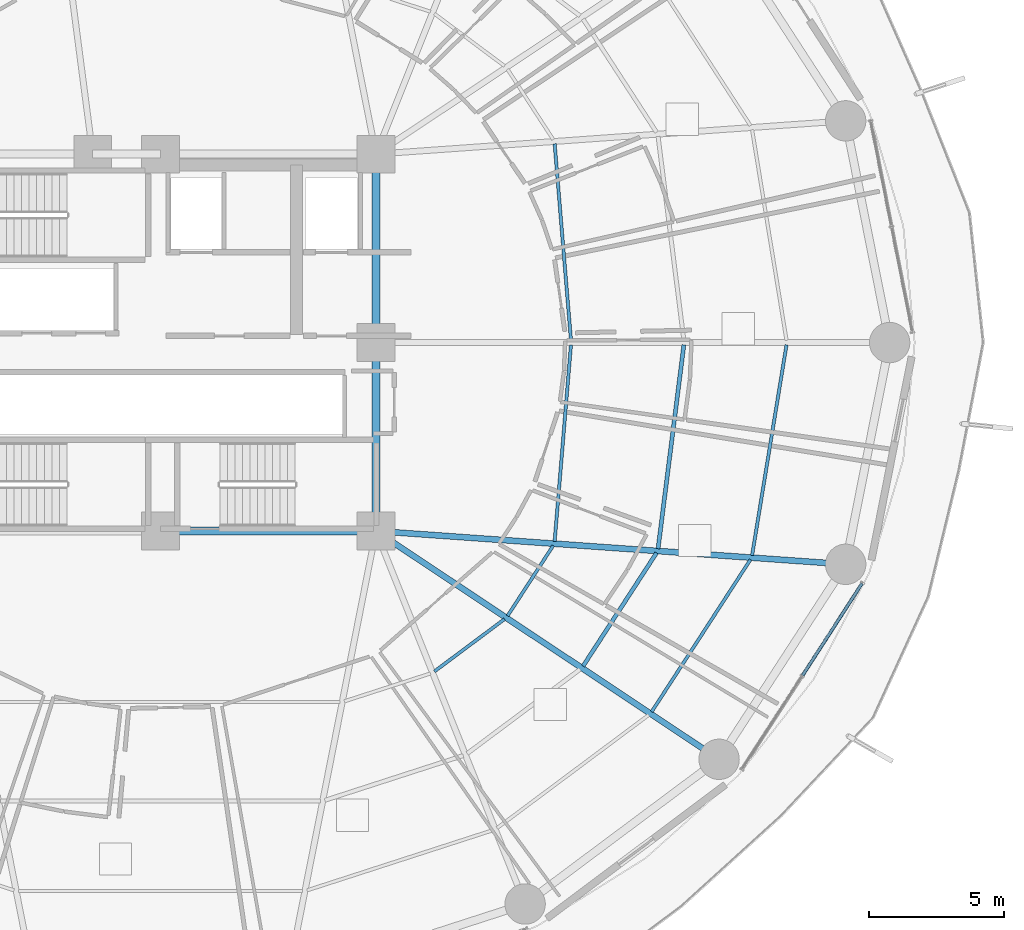
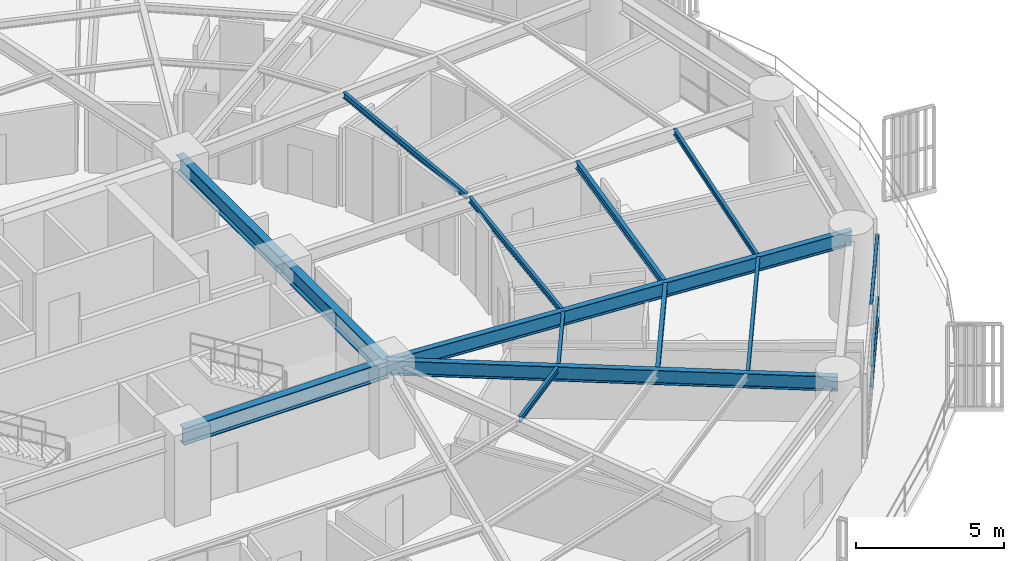
# One storey, part 11 of 33: 13 beams, 3 members, 1 element without a shape of its own.
"""IFC4 building model written with IfcOpenShell, lengths in metres."""

from ifc_helpers import new_model, si_unit, direction, frame, origin, origin_2d, place, context, subcontext, project, spatial, hollow_rectangle, i_section, extrude, material, layer, layer_set, material_profile, profile_set, type_object, element, aggregate, save


model = new_model("IFC4")

# Units and contexts
model_context = context("Model", 3, precision=1e-05, world=origin(), true_north=direction((0.0, 1.0)))
body_context = subcontext(model_context, "Body", "Model", "MODEL_VIEW")
ifc_project = project(units=[si_unit("LENGTHUNIT", "METRE"), si_unit("AREAUNIT", "SQUARE_METRE"), si_unit("VOLUMEUNIT", "CUBIC_METRE"), si_unit("PLANEANGLEUNIT", "RADIAN"), si_unit("MASSUNIT", "GRAM", prefix="KILO")], contexts=[model_context])

# Site, building, storey
site_placement = place(None, origin())
site = spatial("IfcSite", under=ifc_project, at=site_placement, CompositionType="ELEMENT")
building_placement = place(site_placement, origin())
building = spatial("IfcBuilding", under=site, at=building_placement, Name="Kelanora Arch Commons", CompositionType="ELEMENT")
storey_placement = place(building_placement, frame((0.0, 0.0, 41.25)))
storey = spatial("IfcBuildingStorey", under=building, at=storey_placement, Name="L10", CompositionType="ELEMENT", Elevation=41.25)

# Beams
ifc_material_1 = material(Name="Steel S355", Category="steel")
ifc_material_profile_1 = material_profile(ifc_material_1, i_section(OverallWidth=0.300048828125, OverallDepth=0.699951171875, WebThickness=0.01708984375, FlangeThickness=0.031982421875, FilletRadius=0.027099609375, at=origin_2d()), Name="HEB700")
ifc_profile_set_1 = profile_set([ifc_material_profile_1], Name="Steel S355")
beam_type_1 = type_object("IfcBeamType", Name="BM-CORE-HDR", PredefinedType="BEAM", material=ifc_profile_set_1)
beam_1_placement = place(storey_placement, frame((74.0, 51.0, 3.139892578125), z_axis=(1.0, 0.0, 0.0), x_axis=(0.0, 1.0, 0.0)))
element("IfcBeam", 1, at=beam_1_placement, inside=storey, type_object=beam_type_1, Name="Core Header Beam 02 L10", PredefinedType="BEAM", context=body_context, shape_type="SweptSolid", body=[
    extrude(i_section(OverallWidth=0.300048828125, OverallDepth=0.699951171875, WebThickness=0.01708984375, FlangeThickness=0.031982421875, FilletRadius=0.027099609375, at=origin_2d()), origin(), (0.0, 0.0, 1.0), 8.0),
])
for number, where, z_axis, x_axis, name in (
    (2, (82.0, 51.0, 3.139892578125), (0.0, 1.0, 0.0), (-1.0, 0.0, 0.0), "Core Header Beam 03 L10"),
    (3, (82.0, 58.0, 3.139892578125), (0.0, 1.0, 0.0), (-1.0, 0.0, 0.0), "Core Header Beam 04 L10"),
):
    element("IfcBeam", number, at=place(storey_placement, frame(where, z_axis=z_axis, x_axis=x_axis)), inside=storey, type_object=beam_type_1, Name=name, PredefinedType="BEAM", context=body_context, shape_type="SweptSolid", body=[
        extrude(i_section(OverallWidth=0.300048828125, OverallDepth=0.699951171875, WebThickness=0.01708984375, FlangeThickness=0.031982421875, FilletRadius=0.027099609375, at=origin_2d()), origin(), (0.0, 0.0, 1.0), 7.0),
    ])
ifc_material_profile_2 = material_profile(ifc_material_1, i_section(OverallWidth=0.14990234375, OverallDepth=0.300048828125, WebThickness=0.007080078125, FlangeThickness=0.0107421875, FilletRadius=0.014892578125, at=origin_2d()), Name="IPE300")
ifc_profile_set_2 = profile_set([ifc_material_profile_2], Name="Steel S355")
beam_type_2 = type_object("IfcBeamType", Name="BM-JST-01", PredefinedType="JOIST", material=ifc_profile_set_2)
beam_2_placement = place(storey_placement, frame((89.693115234375, 45.984375, 3.340087890625), z_axis=(0.544551588245, 0.838727350061, 0.0), x_axis=(-0.838727350061, 0.544551588245, 0.0)))
element("IfcBeam", 4, at=beam_2_placement, inside=storey, type_object=beam_type_2, Name="Secondary Chord Joist BJB-32 L10", PredefinedType="JOIST", context=body_context, shape_type="SweptSolid", body=[
    extrude(i_section(OverallWidth=0.14990234375, OverallDepth=0.300048828125, WebThickness=0.007080078125, FlangeThickness=0.0107421875, FilletRadius=0.014892578125, at=origin_2d()), origin(), (0.0, 0.0, 1.0), 5.010986328125),
])
beam_3_placement = place(storey_placement, frame((92.478759765625, 50.3427734375, 3.340087890625), z_axis=(0.125565841651, 0.992085288375, 0.0), x_axis=(-0.992085288375, 0.125565841651, 0.0)))
element("IfcBeam", 5, at=beam_3_placement, inside=storey, type_object=beam_type_2, Name="Secondary Chord Joist BJB-34 L10", PredefinedType="JOIST", context=body_context, shape_type="SweptSolid", body=[
    extrude(i_section(OverallWidth=0.14990234375, OverallDepth=0.300048828125, WebThickness=0.007080078125, FlangeThickness=0.0107421875, FilletRadius=0.014892578125, at=origin_2d()), origin(), (0.0, 0.0, 1.0), 7.63330078125),
])
ifc_material_profile_3 = material_profile(ifc_material_1, i_section(OverallWidth=0.1201171875, OverallDepth=0.239990234375, WebThickness=0.006103515625, FlangeThickness=0.009765625, FilletRadius=0.014892578125, at=origin_2d()), Name="IPE240")
ifc_profile_set_3 = profile_set([ifc_material_profile_3], Name="Steel S355")
beam_type_3 = type_object("IfcBeamType", Name="BM-JST-02", PredefinedType="JOIST", material=ifc_profile_set_3)
beam_4_placement = place(storey_placement, frame((89.243408203125, 58.084716796875, 3.3701171875), z_axis=(-0.082786209886, 0.996567330115, 0.0), x_axis=(-0.996567330115, -0.082786209886, 0.0)))
element("IfcBeam", 6, at=beam_4_placement, inside=storey, type_object=beam_type_3, Name="Secondary Chord Joist BJA-00 L10", PredefinedType="JOIST", context=body_context, shape_type="SweptSolid", body=[
    extrude(i_section(OverallWidth=0.1201171875, OverallDepth=0.239990234375, WebThickness=0.006103515625, FlangeThickness=0.009765625, FilletRadius=0.014892578125, at=origin_2d()), origin(), (0.0, 0.0, 1.0), 7.325439453125),
])
beam_5_placement = place(storey_placement, frame((84.17333984375, 45.786376953125, 3.3701171875), z_axis=(0.801513822608, 0.59797624716, 0.0), x_axis=(-0.59797624716, 0.801513822608, 0.0)))
element("IfcBeam", 7, at=beam_5_placement, inside=storey, type_object=beam_type_3, Name="Secondary Chord Joist BJA-30 L10", PredefinedType="JOIST", context=body_context, shape_type="SweptSolid", body=[
    extrude(i_section(OverallWidth=0.1201171875, OverallDepth=0.239990234375, WebThickness=0.006103515625, FlangeThickness=0.009765625, FilletRadius=0.014892578125, at=origin_2d()), origin(), (0.0, 0.0, 1.0), 3.245849609375),
])
beam_6_placement = place(storey_placement, frame((86.88916015625, 47.849609375, 3.3701171875), z_axis=(0.544591105858, 0.838701691557, 0.0), x_axis=(-0.838701691557, 0.544591105858, 0.0)))
element("IfcBeam", 8, at=beam_6_placement, inside=storey, type_object=beam_type_3, Name="Secondary Chord Joist BJA-32 L10", PredefinedType="JOIST", context=body_context, shape_type="SweptSolid", body=[
    extrude(i_section(OverallWidth=0.1201171875, OverallDepth=0.239990234375, WebThickness=0.006103515625, FlangeThickness=0.009765625, FilletRadius=0.014892578125, at=origin_2d()), origin(), (0.0, 0.0, 1.0), 3.111328125),
])
beam_7_placement = place(storey_placement, frame((92.241943359375, 44.288818359375, 3.3701171875), z_axis=(0.544550165372, 0.838728273873, 0.0), x_axis=(-0.838728273873, 0.544550165372, 0.0)))
element("IfcBeam", 9, at=beam_7_placement, inside=storey, type_object=beam_type_3, Name="Secondary Chord Joist BJC-32 L10", PredefinedType="JOIST", context=body_context, shape_type="SweptSolid", body=[
    extrude(i_section(OverallWidth=0.1201171875, OverallDepth=0.239990234375, WebThickness=0.006103515625, FlangeThickness=0.009765625, FilletRadius=0.014892578125, at=origin_2d()), origin(), (0.0, 0.0, 1.0), 6.738037109375),
])
beam_8_placement = place(storey_placement, frame((88.636962890625, 50.614990234375, 3.3701171875), z_axis=(0.082786209886, 0.996567330115, 0.0), x_axis=(-0.996567330115, 0.082786209886, 0.0)))
element("IfcBeam", 10, at=beam_8_placement, inside=storey, type_object=beam_type_3, Name="Secondary Chord Joist BJA-34 L10", PredefinedType="JOIST", context=body_context, shape_type="SweptSolid", body=[
    extrude(i_section(OverallWidth=0.1201171875, OverallDepth=0.239990234375, WebThickness=0.006103515625, FlangeThickness=0.009765625, FilletRadius=0.014892578125, at=origin_2d()), origin(), (0.0, 0.0, 1.0), 7.325439453125),
])
beam_9_placement = place(storey_placement, frame((95.97119140625, 50.09521484375, 3.3701171875), z_axis=(0.161400737199, 0.986888951216, 0.0), x_axis=(-0.986888951216, 0.161400737199, 0.0)))
element("IfcBeam", 11, at=beam_9_placement, inside=storey, type_object=beam_type_3, Name="Secondary Chord Joist BJC-34 L10", PredefinedType="JOIST", context=body_context, shape_type="SweptSolid", body=[
    extrude(i_section(OverallWidth=0.1201171875, OverallDepth=0.239990234375, WebThickness=0.006103515625, FlangeThickness=0.009765625, FilletRadius=0.014892578125, at=origin_2d()), origin(), (0.0, 0.0, 1.0), 7.9248046875),
])
ifc_material_profile_4 = material_profile(ifc_material_1, i_section(OverallWidth=0.219970703125, OverallDepth=0.60009765625, WebThickness=0.011962890625, FlangeThickness=0.01904296875, FilletRadius=0.02392578125, at=origin_2d()), Name="IPE600")
ifc_profile_set_4 = profile_set([ifc_material_profile_4], Name="Steel S355")
beam_type_4 = type_object("IfcBeamType", Name="BM-RAD-Z1", PredefinedType="BEAM", material=ifc_profile_set_4)
beam_10_placement = place(storey_placement, frame((82.0, 51.0, 3.18994140625), z_axis=(0.832592187754, -0.553886494591, 0.0), x_axis=(0.553886494591, 0.832592187754, 0.0)))
element("IfcBeam", 12, at=beam_10_placement, inside=storey, type_object=beam_type_4, Name="Radial Floor Girder BR-32 L10", PredefinedType="BEAM", context=body_context, shape_type="SweptSolid", body=[
    extrude(i_section(OverallWidth=0.219970703125, OverallDepth=0.60009765625, WebThickness=0.011962890625, FlangeThickness=0.01904296875, FilletRadius=0.02392578125, at=origin_2d()), origin(), (0.0, 0.0, 1.0), 15.306884765625),
])
beam_11_placement = place(storey_placement, frame((82.0, 51.0, 3.18994140625), z_axis=(0.997500683472, -0.070656821848, 0.0), x_axis=(0.070656821848, 0.997500683472, 0.0)))
element("IfcBeam", 13, at=beam_11_placement, inside=storey, type_object=beam_type_4, Name="Radial Floor Girder BR-34 L10", PredefinedType="BEAM", context=body_context, shape_type="SweptSolid", body=[
    extrude(i_section(OverallWidth=0.219970703125, OverallDepth=0.60009765625, WebThickness=0.011962890625, FlangeThickness=0.01904296875, FilletRadius=0.02392578125, at=origin_2d()), origin(), (0.0, 0.0, 1.0), 17.49072265625),
])

# Curtain wall, members
ifc_material_2 = material(Name="Terracotta ceramic-fritted low-E glass and aluminium", Category="masonry")
ifc_layer = layer(ifc_material_2, 0.159912109375)
ifc_layer_set = layer_set([ifc_layer], Name="Terracotta ceramic-fritted low-E glass and aluminium")
curtain_wall_type = type_object("IfcCurtainWallType", Name="CW-SYS-01", PredefinedType="NOTDEFINED", material=ifc_layer_set)
curtain_wall_placement = place(storey_placement, origin())
curtain_wall = element("IfcCurtainWall", 14, at=curtain_wall_placement, inside=storey, type_object=curtain_wall_type, Name="Unitised Curtain Wall L10-B16", PredefinedType="NOTDEFINED")
ifc_material_3 = material(Name="Powder-coated aluminium terracotta", Category="masonry")
ifc_material_profile_5 = material_profile(ifc_material_3, hollow_rectangle(XDim=0.1201171875, YDim=0.06005859375, WallThickness=0.0048828125, InnerFilletRadius=0.0048828125, OuterFilletRadius=0.010009765625, at=origin_2d()), Name="CWT120x60")
ifc_profile_set_5 = profile_set([ifc_material_profile_5], Name="Powder-coated aluminium terracotta")
member_type = type_object("IfcMemberType", Name="CWT-STD", PredefinedType="USERDEFINED", material=ifc_profile_set_5)
member_1_placement = place(storey_placement, frame((97.84716796875, 45.638671875, 0.030029296875), z_axis=(0.542997414293, 0.839734367566, 0.0), x_axis=(-0.839734367566, 0.542997414293, 0.0)))
member_1 = element("IfcMember", 15, at=member_1_placement, type_object=member_type, Name="CW-01 transom 2.1", ObjectType="TRANSOM", PredefinedType="USERDEFINED", context=body_context, shape_type="SweptSolid", body=[
    extrude(hollow_rectangle(XDim=0.1201171875, YDim=0.06005859375, WallThickness=0.0048828125, InnerFilletRadius=0.0048828125, OuterFilletRadius=0.010009765625, at=origin_2d()), origin(), (0.0, 0.0, 1.0), 4.067626953125),
])
member_2_placement = place(storey_placement, frame((97.84716796875, 45.638671875, 0.89990234375), z_axis=(0.542997414293, 0.839734367566, 0.0), x_axis=(-0.839734367566, 0.542997414293, 0.0)))
member_2 = element("IfcMember", 16, at=member_2_placement, type_object=member_type, Name="CW-01 transom 2.2", ObjectType="TRANSOM", PredefinedType="USERDEFINED", context=body_context, shape_type="SweptSolid", body=[
    extrude(hollow_rectangle(XDim=0.1201171875, YDim=0.06005859375, WallThickness=0.0048828125, InnerFilletRadius=0.0048828125, OuterFilletRadius=0.010009765625, at=origin_2d()), origin(), (0.0, 0.0, 1.0), 4.067626953125),
])
member_3_placement = place(storey_placement, frame((97.84716796875, 45.638671875, 3.445068359375), z_axis=(0.542997414293, 0.839734367566, 0.0), x_axis=(-0.839734367566, 0.542997414293, 0.0)))
member_3 = element("IfcMember", 17, at=member_3_placement, type_object=member_type, Name="CW-01 transom 2.3", ObjectType="TRANSOM", PredefinedType="USERDEFINED", context=body_context, shape_type="SweptSolid", body=[
    extrude(hollow_rectangle(XDim=0.1201171875, YDim=0.06005859375, WallThickness=0.0048828125, InnerFilletRadius=0.0048828125, OuterFilletRadius=0.010009765625, at=origin_2d()), origin(), (0.0, 0.0, 1.0), 4.067626953125),
])
aggregate(curtain_wall, [member_1, member_2, member_3])

save(model, "model.ifc")
